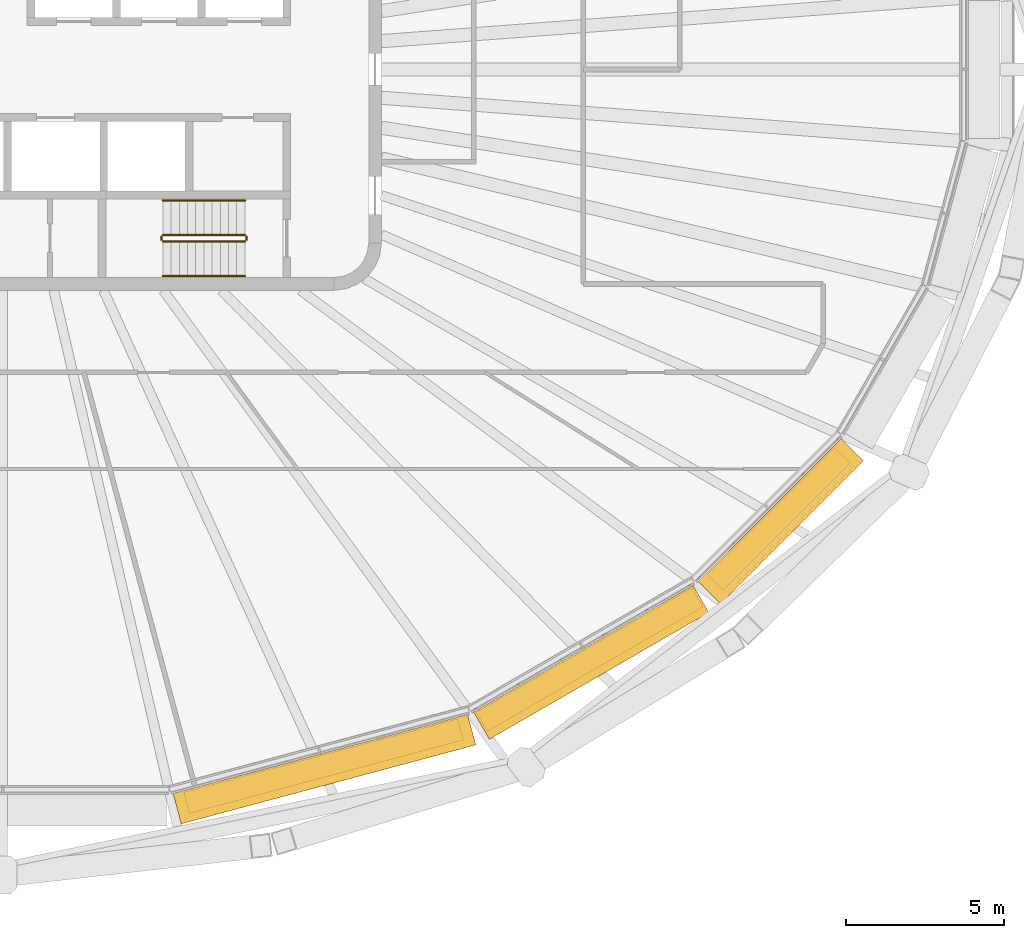
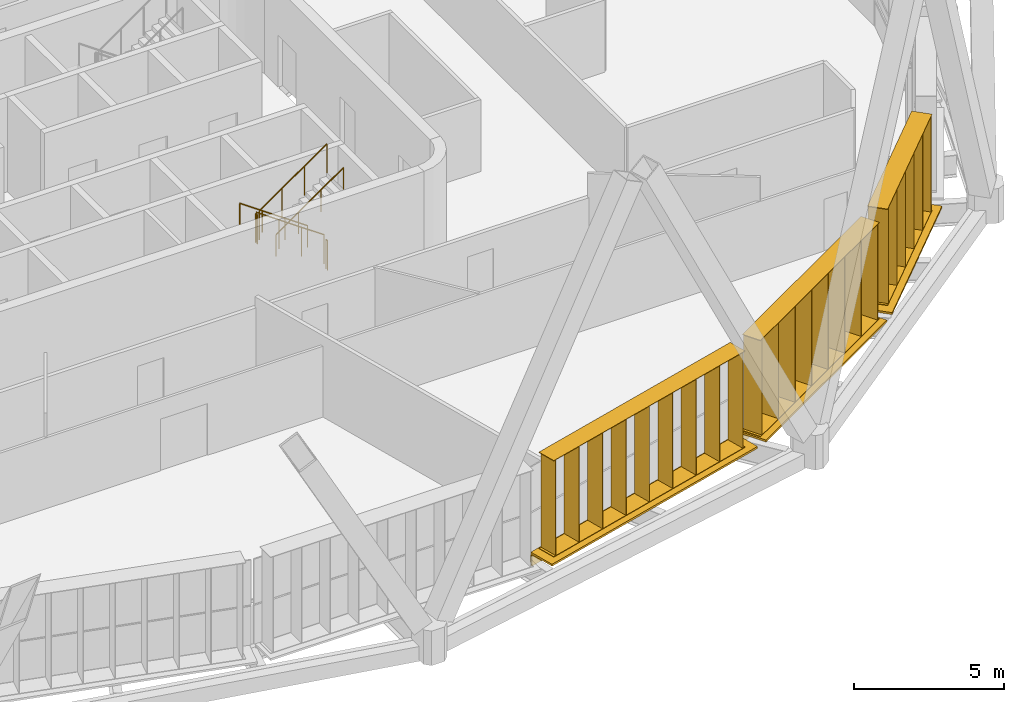
# One storey, part 20 of 23: 6 railings, 6 shading devices.
"""IFC4 building model written with IfcOpenShell, lengths in metres."""

from ifc_helpers import new_model, si_unit, direction, frame, origin, origin_2d, place, context, subcontext, project, spatial, rectangle, circle, extrude, material, type_object, element, save


model = new_model("IFC4")

# Units and contexts
model_context = context("Model", 3, precision=1e-05, world=origin(), true_north=direction((0.0, 1.0)))
body_context = subcontext(model_context, "Body", "Model", "MODEL_VIEW")
ifc_project = project(units=[si_unit("LENGTHUNIT", "METRE"), si_unit("AREAUNIT", "SQUARE_METRE"), si_unit("VOLUMEUNIT", "CUBIC_METRE"), si_unit("PLANEANGLEUNIT", "RADIAN"), si_unit("MASSUNIT", "GRAM", prefix="KILO")], contexts=[model_context])

# Site, building, storey
site_placement = place(None, origin())
site = spatial("IfcSite", under=ifc_project, at=site_placement, CompositionType="ELEMENT")
building_placement = place(site_placement, origin())
building = spatial("IfcBuilding", under=site, at=building_placement, Name="Sahrelin Media Tower", CompositionType="ELEMENT")
storey_placement = place(building_placement, frame((0.0, 0.0, 217.60009765625)))
storey = spatial("IfcBuildingStorey", under=building, at=storey_placement, Name="L46", CompositionType="ELEMENT", Elevation=217.60009765625)

# Shading devices
ifc_material_1 = material(Name="Champagne anodised aluminium 6063-T6", Category="aluminium")
shading_device_type_1 = type_object("IfcShadingDeviceType", Name="Fin cassette", PredefinedType="USERDEFINED", material=ifc_material_1)
placement_1 = place(storey_placement, frame((10.060302734375, -21.67529296875, 0.0), z_axis=(0.0, 0.0, 1.0), x_axis=(-0.965928857556, -0.258807731996, 0.0)))
element("IfcShadingDevice", 1, at=placement_1, inside=storey, type_object=shading_device_type_1, Name="L46:FIN:L46-19", ObjectType="FIN", PredefinedType="USERDEFINED", context=body_context, shape_type="SweptSolid", body=[
    extrude(rectangle(XDim=9.0, YDim=0.699951171875, at=origin_2d()), frame((0.0, 0.419921875, 0.0)), (0.0, 0.0, 1.0), 0.02001953125),
    extrude(rectangle(XDim=9.0, YDim=0.699951171875, at=origin_2d()), frame((0.0, 0.419921875, 3.89990234375)), (0.0, 0.0, 1.0), 0.02001953125),
    extrude(rectangle(XDim=0.02001953125, YDim=0.699951171875, at=origin_2d()), frame((-4.39990234375, 0.419921875, 0.010009765625), z_axis=(0.0, 0.0, 1.0), x_axis=(1.0, 0.0, 0.0)), (0.0, 0.0, 1.0), 3.89990234375),
    extrude(rectangle(XDim=0.02001953125, YDim=0.699951171875, at=origin_2d()), frame((-3.300048828125, 0.419921875, 0.010009765625), z_axis=(0.0, 0.0, 1.0), x_axis=(1.0, 0.0, 0.0)), (0.0, 0.0, 1.0), 3.89990234375),
    extrude(rectangle(XDim=0.02001953125, YDim=0.699951171875, at=origin_2d()), frame((-2.199951171875, 0.419921875, 0.010009765625), z_axis=(0.0, 0.0, 1.0), x_axis=(1.0, 0.0, 0.0)), (0.0, 0.0, 1.0), 3.89990234375),
    extrude(rectangle(XDim=0.02001953125, YDim=0.699951171875, at=origin_2d()), frame((-1.10009765625, 0.419921875, 0.010009765625), z_axis=(0.0, 0.0, 1.0), x_axis=(1.0, 0.0, 0.0)), (0.0, 0.0, 1.0), 3.89990234375),
    extrude(rectangle(XDim=0.02001953125, YDim=0.699951171875, at=origin_2d()), frame((0.0, 0.419921875, 0.010009765625), z_axis=(0.0, 0.0, 1.0), x_axis=(1.0, 0.0, 0.0)), (0.0, 0.0, 1.0), 3.89990234375),
    extrude(rectangle(XDim=0.02001953125, YDim=0.699951171875, at=origin_2d()), frame((1.10009765625, 0.419921875, 0.010009765625), z_axis=(0.0, 0.0, 1.0), x_axis=(1.0, 0.0, 0.0)), (0.0, 0.0, 1.0), 3.89990234375),
    extrude(rectangle(XDim=0.02001953125, YDim=0.699951171875, at=origin_2d()), frame((2.199951171875, 0.419921875, 0.010009765625), z_axis=(0.0, 0.0, 1.0), x_axis=(1.0, 0.0, 0.0)), (0.0, 0.0, 1.0), 3.89990234375),
    extrude(rectangle(XDim=0.02001953125, YDim=0.699951171875, at=origin_2d()), frame((3.300048828125, 0.419921875, 0.010009765625), z_axis=(0.0, 0.0, 1.0), x_axis=(1.0, 0.0, 0.0)), (0.0, 0.0, 1.0), 3.89990234375),
    extrude(rectangle(XDim=0.02001953125, YDim=0.699951171875, at=origin_2d()), frame((4.39990234375, 0.419921875, 0.010009765625), z_axis=(0.0, 0.0, 1.0), x_axis=(1.0, 0.0, 0.0)), (0.0, 0.0, 1.0), 3.89990234375),
])
placement_2 = place(storey_placement, frame((18.39013671875, -18.34033203125, 0.0), z_axis=(0.0, 0.0, 1.0), x_axis=(-0.866019052629, -0.500011000363, 0.0)))
element("IfcShadingDevice", 2, at=placement_2, inside=storey, type_object=shading_device_type_1, Name="L46:FIN:L46-20", ObjectType="FIN", PredefinedType="USERDEFINED", context=body_context, shape_type="SweptSolid", body=[
    extrude(rectangle(XDim=7.89990234375, YDim=0.699951171875, at=origin_2d()), frame((0.0, 0.419921875, 0.0)), (0.0, 0.0, 1.0), 0.02001953125),
    extrude(rectangle(XDim=7.89990234375, YDim=0.699951171875, at=origin_2d()), frame((0.0, 0.419921875, 3.89990234375)), (0.0, 0.0, 1.0), 0.02001953125),
    extrude(rectangle(XDim=0.02001953125, YDim=0.699951171875, at=origin_2d()), frame((-3.85009765625, 0.419921875, 0.010009765625), z_axis=(0.0, 0.0, 1.0), x_axis=(1.0, 0.0, 0.0)), (0.0, 0.0, 1.0), 3.89990234375),
    extrude(rectangle(XDim=0.02001953125, YDim=0.699951171875, at=origin_2d()), frame((-2.75, 0.419921875, 0.010009765625), z_axis=(0.0, 0.0, 1.0), x_axis=(1.0, 0.0, 0.0)), (0.0, 0.0, 1.0), 3.89990234375),
    extrude(rectangle(XDim=0.02001953125, YDim=0.699951171875, at=origin_2d()), frame((-1.64990234375, 0.419921875, 0.010009765625), z_axis=(0.0, 0.0, 1.0), x_axis=(1.0, 0.0, 0.0)), (0.0, 0.0, 1.0), 3.89990234375),
    extrude(rectangle(XDim=0.02001953125, YDim=0.699951171875, at=origin_2d()), frame((-0.550048828125, 0.419921875, 0.010009765625), z_axis=(0.0, 0.0, 1.0), x_axis=(1.0, 0.0, 0.0)), (0.0, 0.0, 1.0), 3.89990234375),
    extrude(rectangle(XDim=0.02001953125, YDim=0.699951171875, at=origin_2d()), frame((0.550048828125, 0.419921875, 0.010009765625), z_axis=(0.0, 0.0, 1.0), x_axis=(1.0, 0.0, 0.0)), (0.0, 0.0, 1.0), 3.89990234375),
    extrude(rectangle(XDim=0.02001953125, YDim=0.699951171875, at=origin_2d()), frame((1.64990234375, 0.419921875, 0.010009765625), z_axis=(0.0, 0.0, 1.0), x_axis=(1.0, 0.0, 0.0)), (0.0, 0.0, 1.0), 3.89990234375),
    extrude(rectangle(XDim=0.02001953125, YDim=0.699951171875, at=origin_2d()), frame((2.75, 0.419921875, 0.010009765625), z_axis=(0.0, 0.0, 1.0), x_axis=(1.0, 0.0, 0.0)), (0.0, 0.0, 1.0), 3.89990234375),
    extrude(rectangle(XDim=0.02001953125, YDim=0.699951171875, at=origin_2d()), frame((3.85009765625, 0.419921875, 0.010009765625), z_axis=(0.0, 0.0, 1.0), x_axis=(1.0, 0.0, 0.0)), (0.0, 0.0, 1.0), 3.89990234375),
])
placement_3 = place(storey_placement, frame((24.291015625, -13.9462890625, 0.0), z_axis=(0.0, 0.0, 1.0), x_axis=(-0.707106781187, -0.707106781187, 0.0)))
element("IfcShadingDevice", 3, at=placement_3, inside=storey, type_object=shading_device_type_1, Name="L46:FIN:L46-21", ObjectType="FIN", PredefinedType="USERDEFINED", context=body_context, shape_type="SweptSolid", body=[
    extrude(rectangle(XDim=5.699951171875, YDim=0.699951171875, at=origin_2d()), frame((0.0, 0.419921875, 0.0)), (0.0, 0.0, 1.0), 0.02001953125),
    extrude(rectangle(XDim=5.699951171875, YDim=0.699951171875, at=origin_2d()), frame((0.0, 0.419921875, 3.89990234375)), (0.0, 0.0, 1.0), 0.02001953125),
    extrude(rectangle(XDim=0.02001953125, YDim=0.699951171875, at=origin_2d()), frame((-2.75, 0.419921875, 0.010009765625), z_axis=(0.0, 0.0, 1.0), x_axis=(1.0, 0.0, 0.0)), (0.0, 0.0, 1.0), 3.89990234375),
    extrude(rectangle(XDim=0.02001953125, YDim=0.699951171875, at=origin_2d()), frame((-1.64990234375, 0.419921875, 0.010009765625), z_axis=(0.0, 0.0, 1.0), x_axis=(1.0, 0.0, 0.0)), (0.0, 0.0, 1.0), 3.89990234375),
    extrude(rectangle(XDim=0.02001953125, YDim=0.699951171875, at=origin_2d()), frame((-0.550048828125, 0.419921875, 0.010009765625), z_axis=(0.0, 0.0, 1.0), x_axis=(1.0, 0.0, 0.0)), (0.0, 0.0, 1.0), 3.89990234375),
    extrude(rectangle(XDim=0.02001953125, YDim=0.699951171875, at=origin_2d()), frame((0.550048828125, 0.419921875, 0.010009765625), z_axis=(0.0, 0.0, 1.0), x_axis=(1.0, 0.0, 0.0)), (0.0, 0.0, 1.0), 3.89990234375),
    extrude(rectangle(XDim=0.02001953125, YDim=0.699951171875, at=origin_2d()), frame((1.64990234375, 0.419921875, 0.010009765625), z_axis=(0.0, 0.0, 1.0), x_axis=(1.0, 0.0, 0.0)), (0.0, 0.0, 1.0), 3.89990234375),
    extrude(rectangle(XDim=0.02001953125, YDim=0.699951171875, at=origin_2d()), frame((2.75, 0.419921875, 0.010009765625), z_axis=(0.0, 0.0, 1.0), x_axis=(1.0, 0.0, 0.0)), (0.0, 0.0, 1.0), 3.89990234375),
])

# Railings
ifc_material_2 = material(Name="Steel S355", Category="steel")
railing_type_1 = type_object("IfcRailingType", Name="Stair guard 1200", PredefinedType="GUARDRAIL", material=ifc_material_2)
railing_1_placement = place(storey_placement, frame((7.675048828125, -5.25, 0.181640625)))
element("IfcRailing", 4, at=railing_1_placement, inside=storey, type_object=railing_type_1, Name="L46 ST2 stair guard 1", PredefinedType="GUARDRAIL", context=body_context, shape_type="SweptSolid", body=[
    extrude(circle(Radius=0.02392578125, at=origin_2d()), frame((0.0, 0.0, 1.17578125), z_axis=(-0.819484887739, 0.0, 0.573100792852), x_axis=(0.0, -1.0, 0.0)), (0.0, 0.0, 1.0), 3.1728515625),
    extrude(circle(Radius=0.02099609375, at=origin_2d()), origin(), (0.0, 0.0, 1.0), 1.15185546875),
    extrude(circle(Radius=0.02099609375, at=origin_2d()), frame((-0.86669921875, 0.0, 0.606201171875)), (0.0, 0.0, 1.0), 1.15185546875),
    extrude(circle(Radius=0.02099609375, at=origin_2d()), frame((-1.7333984375, 0.0, 1.212158203125)), (0.0, 0.0, 1.0), 1.15185546875),
    extrude(circle(Radius=0.02099609375, at=origin_2d()), frame((-2.60009765625, 0.0, 1.818359375)), (0.0, 0.0, 1.0), 1.15185546875),
])
railing_2_placement = place(storey_placement, frame((5.02490234375, -5.300048828125, 2.0)))
element("IfcRailing", 5, at=railing_2_placement, inside=storey, type_object=railing_type_1, Name="L46 ST2 stair guard 2", PredefinedType="GUARDRAIL", context=body_context, shape_type="SweptSolid", body=[
    extrude(circle(Radius=0.02392578125, at=origin_2d()), frame((0.0, 0.0, 1.17578125), z_axis=(0.0, -1.0, 0.0), x_axis=(1.0, 0.0, 0.0)), (0.0, 0.0, 1.0), 0.099853515625),
    extrude(circle(Radius=0.02099609375, at=origin_2d()), origin(), (0.0, 0.0, 1.0), 1.15185546875),
    extrude(circle(Radius=0.02099609375, at=origin_2d()), frame((0.0, -0.099853515625, 0.0)), (0.0, 0.0, 1.0), 1.15185546875),
])
railing_3_placement = place(storey_placement, frame((5.074951171875, -5.449951171875, 2.181640625)))
element("IfcRailing", 6, at=railing_3_placement, inside=storey, type_object=railing_type_1, Name="L46 ST2 stair guard 3", PredefinedType="GUARDRAIL", context=body_context, shape_type="SweptSolid", body=[
    extrude(circle(Radius=0.02392578125, at=origin_2d()), frame((0.0, 0.0, 1.17578125), z_axis=(0.819484887739, 0.0, 0.573100792852), x_axis=(0.0, 1.0, 0.0)), (0.0, 0.0, 1.0), 3.1728515625),
    extrude(circle(Radius=0.02099609375, at=origin_2d()), origin(), (0.0, 0.0, 1.0), 1.15185546875),
    extrude(circle(Radius=0.02099609375, at=origin_2d()), frame((0.86669921875, 0.0, 0.606201171875)), (0.0, 0.0, 1.0), 1.15185546875),
    extrude(circle(Radius=0.02099609375, at=origin_2d()), frame((1.7333984375, 0.0, 1.212158203125)), (0.0, 0.0, 1.0), 1.15185546875),
    extrude(circle(Radius=0.02099609375, at=origin_2d()), frame((2.60009765625, 0.0, 1.818359375)), (0.0, 0.0, 1.0), 1.15185546875),
])
railing_4_placement = place(storey_placement, frame((7.72509765625, -5.300048828125, 0.0)))
element("IfcRailing", 7, at=railing_4_placement, inside=storey, type_object=railing_type_1, Name="L46 ST2 stair guard 4", PredefinedType="GUARDRAIL", context=body_context, shape_type="SweptSolid", body=[
    extrude(circle(Radius=0.02392578125, at=origin_2d()), frame((0.0, 0.0, 1.17578125), z_axis=(0.0, -1.0, 0.0), x_axis=(1.0, 0.0, 0.0)), (0.0, 0.0, 1.0), 0.099853515625),
    extrude(circle(Radius=0.02099609375, at=origin_2d()), origin(), (0.0, 0.0, 1.0), 1.15185546875),
    extrude(circle(Radius=0.02099609375, at=origin_2d()), frame((0.0, -0.099853515625, 0.0)), (0.0, 0.0, 1.0), 1.15185546875),
])
railing_type_2 = type_object("IfcRailingType", Name="Stair handrail 900", PredefinedType="HANDRAIL", material=ifc_material_2)
railing_5_placement = place(storey_placement, frame((7.675048828125, -4.14990234375, 0.181640625)))
element("IfcRailing", 8, at=railing_5_placement, inside=storey, type_object=railing_type_2, Name="L46 ST2 stair handrail 1", PredefinedType="HANDRAIL", context=body_context, shape_type="SweptSolid", body=[
    extrude(circle(Radius=0.02392578125, at=origin_2d()), frame((0.0, 0.0, 0.8759765625), z_axis=(-0.819484887739, 0.0, 0.573100792852), x_axis=(0.0, -1.0, 0.0)), (0.0, 0.0, 1.0), 3.1728515625),
    extrude(circle(Radius=0.02099609375, at=origin_2d()), origin(), (0.0, 0.0, 1.0), 0.851806640625),
    extrude(circle(Radius=0.02099609375, at=origin_2d()), frame((-0.86669921875, 0.0, 0.606201171875)), (0.0, 0.0, 1.0), 0.851806640625),
    extrude(circle(Radius=0.02099609375, at=origin_2d()), frame((-1.7333984375, 0.0, 1.212158203125)), (0.0, 0.0, 1.0), 0.851806640625),
    extrude(circle(Radius=0.02099609375, at=origin_2d()), frame((-2.60009765625, 0.0, 1.818359375)), (0.0, 0.0, 1.0), 0.851806640625),
])
railing_6_placement = place(storey_placement, frame((5.074951171875, -6.550048828125, 2.181640625)))
element("IfcRailing", 9, at=railing_6_placement, inside=storey, type_object=railing_type_2, Name="L46 ST2 stair handrail 2", PredefinedType="HANDRAIL", context=body_context, shape_type="SweptSolid", body=[
    extrude(circle(Radius=0.02392578125, at=origin_2d()), frame((0.0, 0.0, 0.8759765625), z_axis=(0.819484887739, 0.0, 0.573100792852), x_axis=(0.0, 1.0, 0.0)), (0.0, 0.0, 1.0), 3.1728515625),
    extrude(circle(Radius=0.02099609375, at=origin_2d()), origin(), (0.0, 0.0, 1.0), 0.851806640625),
    extrude(circle(Radius=0.02099609375, at=origin_2d()), frame((0.86669921875, 0.0, 0.606201171875)), (0.0, 0.0, 1.0), 0.851806640625),
    extrude(circle(Radius=0.02099609375, at=origin_2d()), frame((1.7333984375, 0.0, 1.212158203125)), (0.0, 0.0, 1.0), 0.851806640625),
    extrude(circle(Radius=0.02099609375, at=origin_2d()), frame((2.60009765625, 0.0, 1.818359375)), (0.0, 0.0, 1.0), 0.851806640625),
])

# Shading devices
shading_device_type_2 = type_object("IfcShadingDeviceType", Name="Sunshade band", PredefinedType="USERDEFINED", material=ifc_material_1)
element("IfcShadingDevice", 10, at=placement_1, inside=storey, type_object=shading_device_type_2, Name="L46:SUN:L46-19", ObjectType="SUNSHADE", PredefinedType="USERDEFINED", context=body_context, shape_type="SweptSolid", body=[
    extrude(rectangle(XDim=9.66552734375, YDim=0.050048828125, at=origin_2d()), frame((0.0, 0.044921875, -0.55126953125)), (0.0, 0.0, 1.0), 0.471435546875),
    extrude(rectangle(XDim=9.66552734375, YDim=1.0, at=origin_2d()), frame((0.0, 0.52001953125, -0.080078125)), (0.0, 0.0, 1.0), 0.080078125),
    extrude(rectangle(XDim=0.10009765625, YDim=0.074951171875, at=origin_2d()), frame((-4.732666015625, -0.017578125, -0.47021484375)), (0.0, 0.0, 1.0), 0.300048828125),
    extrude(rectangle(XDim=0.10009765625, YDim=0.074951171875, at=origin_2d()), frame((-2.839599609375, -0.017578125, -0.47021484375)), (0.0, 0.0, 1.0), 0.300048828125),
    extrude(rectangle(XDim=0.10009765625, YDim=0.074951171875, at=origin_2d()), frame((-0.946533203125, -0.017578125, -0.47021484375)), (0.0, 0.0, 1.0), 0.300048828125),
    extrude(rectangle(XDim=0.10009765625, YDim=0.074951171875, at=origin_2d()), frame((0.946533203125, -0.017578125, -0.47021484375)), (0.0, 0.0, 1.0), 0.300048828125),
    extrude(rectangle(XDim=0.10009765625, YDim=0.074951171875, at=origin_2d()), frame((2.839599609375, -0.017578125, -0.47021484375)), (0.0, 0.0, 1.0), 0.300048828125),
    extrude(rectangle(XDim=0.10009765625, YDim=0.074951171875, at=origin_2d()), frame((4.732666015625, -0.017578125, -0.47021484375)), (0.0, 0.0, 1.0), 0.300048828125),
])
element("IfcShadingDevice", 11, at=placement_2, inside=storey, type_object=shading_device_type_2, Name="L46:SUN:L46-20", ObjectType="SUNSHADE", PredefinedType="USERDEFINED", context=body_context, shape_type="SweptSolid", body=[
    extrude(rectangle(XDim=8.033203125, YDim=0.050048828125, at=origin_2d()), frame((0.0, 0.044921875, -0.55126953125)), (0.0, 0.0, 1.0), 0.471435546875),
    extrude(rectangle(XDim=8.033203125, YDim=1.0, at=origin_2d()), frame((0.0, 0.52001953125, -0.080078125)), (0.0, 0.0, 1.0), 0.080078125),
    extrude(rectangle(XDim=0.10009765625, YDim=0.074951171875, at=origin_2d()), frame((-3.91650390625, -0.017578125, -0.47021484375)), (0.0, 0.0, 1.0), 0.300048828125),
    extrude(rectangle(XDim=0.10009765625, YDim=0.074951171875, at=origin_2d()), frame((-2.35009765625, -0.017578125, -0.47021484375)), (0.0, 0.0, 1.0), 0.300048828125),
    extrude(rectangle(XDim=0.10009765625, YDim=0.074951171875, at=origin_2d()), frame((-0.783203125, -0.017578125, -0.47021484375)), (0.0, 0.0, 1.0), 0.300048828125),
    extrude(rectangle(XDim=0.10009765625, YDim=0.074951171875, at=origin_2d()), frame((0.783203125, -0.017578125, -0.47021484375)), (0.0, 0.0, 1.0), 0.300048828125),
    extrude(rectangle(XDim=0.10009765625, YDim=0.074951171875, at=origin_2d()), frame((2.35009765625, -0.017578125, -0.47021484375)), (0.0, 0.0, 1.0), 0.300048828125),
    extrude(rectangle(XDim=0.10009765625, YDim=0.074951171875, at=origin_2d()), frame((3.91650390625, -0.017578125, -0.47021484375)), (0.0, 0.0, 1.0), 0.300048828125),
])
element("IfcShadingDevice", 12, at=placement_3, inside=storey, type_object=shading_device_type_2, Name="L46:SUN:L46-21", ObjectType="SUNSHADE", PredefinedType="USERDEFINED", context=body_context, shape_type="SweptSolid", body=[
    extrude(rectangle(XDim=6.406494140625, YDim=0.050048828125, at=origin_2d()), frame((0.0, 0.044921875, -0.55126953125)), (0.0, 0.0, 1.0), 0.471435546875),
    extrude(rectangle(XDim=6.406494140625, YDim=1.0, at=origin_2d()), frame((0.0, 0.52001953125, -0.080078125)), (0.0, 0.0, 1.0), 0.080078125),
    extrude(rectangle(XDim=0.10009765625, YDim=0.074951171875, at=origin_2d()), frame((-3.103271484375, -0.017578125, -0.47021484375)), (0.0, 0.0, 1.0), 0.300048828125),
    extrude(rectangle(XDim=0.10009765625, YDim=0.074951171875, at=origin_2d()), frame((-1.551513671875, -0.017578125, -0.47021484375)), (0.0, 0.0, 1.0), 0.300048828125),
    extrude(rectangle(XDim=0.10009765625, YDim=0.074951171875, at=origin_2d()), frame((0.0, -0.017578125, -0.47021484375)), (0.0, 0.0, 1.0), 0.300048828125),
    extrude(rectangle(XDim=0.10009765625, YDim=0.074951171875, at=origin_2d()), frame((1.551513671875, -0.017578125, -0.47021484375)), (0.0, 0.0, 1.0), 0.300048828125),
    extrude(rectangle(XDim=0.10009765625, YDim=0.074951171875, at=origin_2d()), frame((3.103271484375, -0.017578125, -0.47021484375)), (0.0, 0.0, 1.0), 0.300048828125),
])

save(model, "model.ifc")
